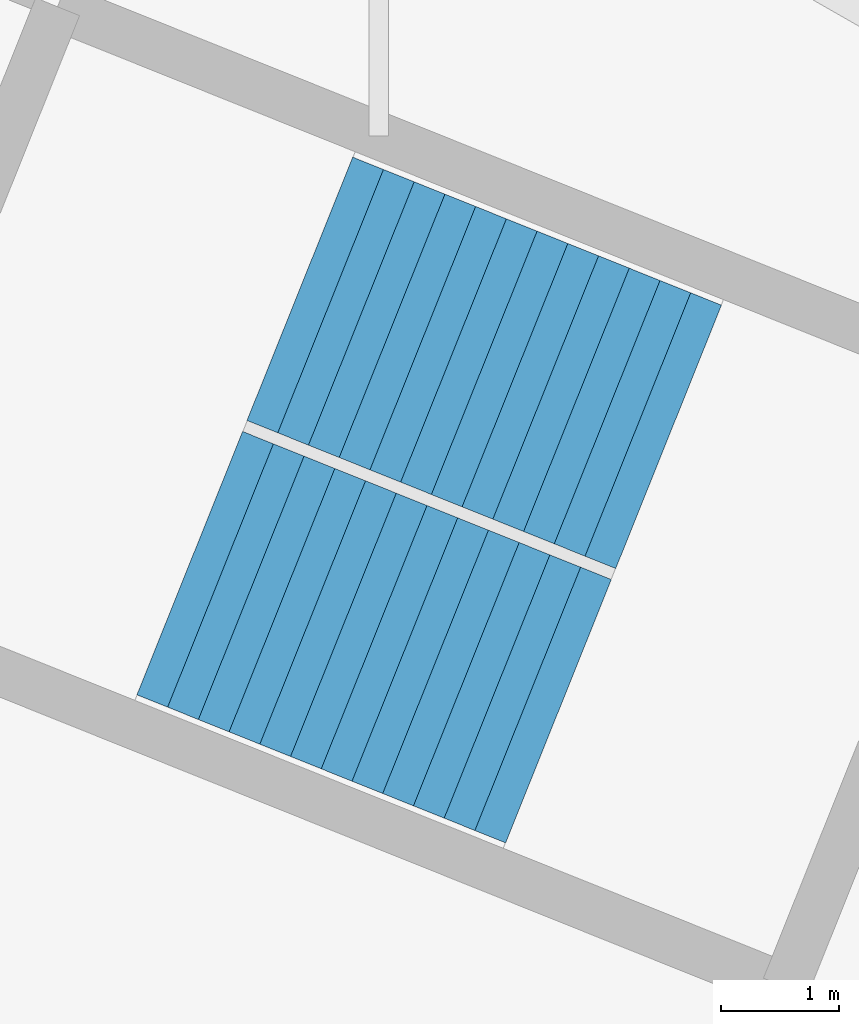
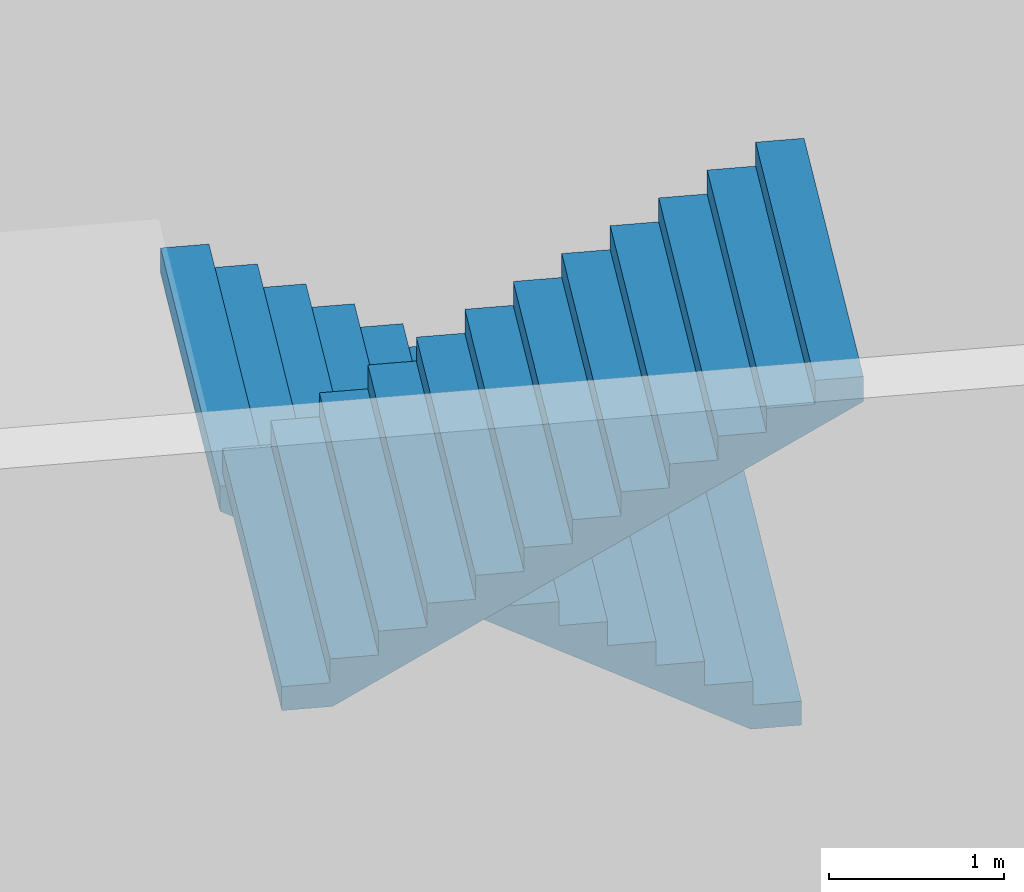
# One storey, part 31 of 47: 2 stair flights, 1 element without a shape of its own.
"""IFC4 building model written with IfcOpenShell, lengths in metres."""

import ifcopenshell
import ifcopenshell.guid

model = None  # the IFC model being written
_history = None  # IfcOwnerHistory: only IFC2X3 demands one
_inside = {}  # id of a spatial element -> (the spatial element, [elements in it])
_under = {}  # id of a project, library or spatial element -> (it, [spatial elements below it])
_declared = {}  # id of a project -> (the project, [libraries it declares])
_typed = {}  # id of a type object -> (the type object, [elements of that type])
_made_of = {}  # id of a material, layer set ... -> (it, [elements and type objects made of it])


def new_model(schema):
    """Start an empty IFC model of exactly this schema.

    Asked for "IFC4X3", IfcOpenShell would pick the latest addendum, in which some entities
    have other attributes; the version numbers below select the first issue.
    IFC2X3 requires an IfcOwnerHistory on every rooted entity: one is made here for all.
    """
    global model, _history
    if schema == "IFC4X3":
        model = ifcopenshell.file(schema_version=(4, 3, 0, 0))
    else:
        model = ifcopenshell.file(schema=schema)
    _inside.clear()
    _under.clear()
    _declared.clear()
    _typed.clear()
    _made_of.clear()
    _history = None
    if model.schema == "IFC2X3":
        org = make("IfcOrganization", Name="unknown")
        user = make(
            "IfcPersonAndOrganization",
            ThePerson=make("IfcPerson", FamilyName="unknown"),
            TheOrganization=org,
        )
        app = make(
            "IfcApplication",
            ApplicationDeveloper=org,
            Version="unknown",
            ApplicationFullName="unknown",
            ApplicationIdentifier="unknown",
        )
        _history = make(
            "IfcOwnerHistory",
            OwningUser=user,
            OwningApplication=app,
            ChangeAction="ADDED",
            CreationDate=0,
        )
    return model


def make(cls, **values):
    """One entity of the class cls with the attributes given. An attribute that is None is left unset."""
    return model.create_entity(
        cls, **{name: value for name, value in values.items() if value is not None}
    )


def rooted(cls, **values):
    """An entity with a GlobalId (a new one), such as an element, a storey or a relation."""
    return make(cls, GlobalId=ifcopenshell.guid.new(), OwnerHistory=_history, **values)


def si_unit(unit_type, name, prefix=None):
    """IfcSIUnit, for example si_unit("LENGTHUNIT", "METRE", prefix="MILLI")."""
    return make("IfcSIUnit", UnitType=unit_type, Prefix=prefix, Name=name)


def assignment(units):
    """IfcUnitAssignment: the units of a project."""
    return None if units is None else make("IfcUnitAssignment", Units=units)


def point(xyz):
    """IfcCartesianPoint."""
    return None if xyz is None else make("IfcCartesianPoint", Coordinates=xyz)


def direction(xyz):
    """IfcDirection."""
    return None if xyz is None else make("IfcDirection", DirectionRatios=xyz)


def frame(location, z_axis=None, x_axis=None):
    """IfcAxis2Placement3D, a coordinate frame: its origin and axes. An axis left out is left unset."""
    return make(
        "IfcAxis2Placement3D",
        Location=point(location),
        Axis=direction(z_axis),
        RefDirection=direction(x_axis),
    )


def origin():
    """The frame at (0, 0, 0) with its axes left unset."""
    return frame((0.0, 0.0, 0.0))


def place(relative_to, where):
    """IfcLocalPlacement: puts the frame where relative to a parent placement (None: the world)."""
    return make(
        "IfcLocalPlacement", PlacementRelTo=relative_to, RelativePlacement=where
    )


def context(
    kind, dimensions, precision=None, world=None, true_north=None, identifier=None
):
    """IfcGeometricRepresentationContext, for example the 3D "Model" context."""
    return make(
        "IfcGeometricRepresentationContext",
        ContextIdentifier=identifier,
        ContextType=kind,
        CoordinateSpaceDimension=dimensions,
        Precision=precision,
        WorldCoordinateSystem=world,
        TrueNorth=true_north,
    )


def subcontext(parent, identifier, kind, view, scale=None):
    """IfcGeometricRepresentationSubContext, for example "Body" below "Model"."""
    return make(
        "IfcGeometricRepresentationSubContext",
        ContextIdentifier=identifier,
        ContextType=kind,
        ParentContext=parent,
        TargetScale=scale,
        TargetView=view,
    )


def project(units=None, contexts=None):
    """IfcProject with its units and contexts."""
    return rooted(
        "IfcProject",
        Name="project",
        RepresentationContexts=contexts,
        UnitsInContext=assignment(units),
    )


def spatial(cls, under=None, at=None, **own):
    """A site, building, storey or space (cls), placed at a placement, below another one or the project."""
    s = rooted(cls, ObjectPlacement=at, **own)
    if under is not None:
        _under.setdefault(under.id(), (under, []))[1].append(s)
    return s


def point_list(points):
    """IfcCartesianPointList2D or 3D."""
    cls = (
        "IfcCartesianPointList2D" if len(points[0]) == 2 else "IfcCartesianPointList3D"
    )
    return make(cls, CoordList=points)


def triangles(points, corners, closed=None, point_numbers=None):
    """IfcTriangulatedFaceSet: each triangle names its three corners, points numbered from 1."""
    return make(
        "IfcTriangulatedFaceSet",
        Coordinates=point_list(points),
        Closed=closed,
        CoordIndex=corners,
        PnIndex=point_numbers,
    )


def shape(context_of_items, identifier, shape_type, items):
    """IfcShapeRepresentation: the items that make up one representation, for example the "Body"."""
    return make(
        "IfcShapeRepresentation",
        ContextOfItems=context_of_items,
        RepresentationIdentifier=identifier,
        RepresentationType=shape_type,
        Items=items,
    )


def material(Name=None, Category=None):
    """IfcMaterial."""
    return make("IfcMaterial", Name=Name, Category=Category)


def made_of(thing, what):
    """Note that an element or type object is made of a material, layer set ...; save() writes the relation."""
    if what is not None:
        _made_of.setdefault(what.id(), (what, []))[1].append(thing)
    return thing


def type_object(cls, material=None, **own):
    """A type object (cls), such as IfcWallType, which elements share."""
    return made_of(rooted(cls, **own), material)


def element(
    cls,
    number,
    at=None,
    inside=None,
    cuts=None,
    type_object=None,
    material=None,
    context=None,
    identifier="Body",
    shape_type=None,
    held_by="IfcProductDefinitionShape",
    body=None,
    shapes=None,
    **own,
):
    """One element of the class cls, such as IfcWall. Its Tag is "e" and its number.

    at: its placement. inside: the storey or other place that contains it. cuts: it is an
    opening in that element (IfcRelVoidsElement). A single representation is given by context,
    identifier, shape_type and body (its items); several are given by shapes. held_by: the class
    of the entity that holds the representations. save() writes the other relations.
    """
    e = rooted(cls, Tag="e%d" % number, ObjectPlacement=at, **own)
    if body is not None:
        shapes = [shape(context, identifier, shape_type, body)]
    if shapes is not None:
        e.Representation = make(held_by, Representations=shapes)
    if inside is not None:
        _inside.setdefault(inside.id(), (inside, []))[1].append(e)
    if cuts is not None:
        rooted(
            "IfcRelVoidsElement", RelatingBuildingElement=cuts, RelatedOpeningElement=e
        )
    if type_object is not None:
        _typed.setdefault(type_object.id(), (type_object, []))[1].append(e)
    return made_of(e, material)


def aggregate(whole, parts):
    """IfcRelAggregates: a whole, such as a stair, and the parts it consists of."""
    return rooted("IfcRelAggregates", RelatingObject=whole, RelatedObjects=parts)


def save(model, path):
    """Write the relations noted so far, then the file.

    IfcRelAggregates (storeys below a building ...), IfcRelContainedInSpatialStructure (elements
    in a storey), IfcRelDefinesByType, IfcRelAssociatesMaterial and IfcRelDeclares: one each for
    every whole, place, type object, material and project.
    """
    for whole, parts in _under.values():
        aggregate(whole, parts)
    for where, things in _inside.values():
        rooted(
            "IfcRelContainedInSpatialStructure",
            RelatedElements=things,
            RelatingStructure=where,
        )
    for kind, things in _typed.values():
        rooted("IfcRelDefinesByType", RelatedObjects=things, RelatingType=kind)
    for what, things in _made_of.values():
        rooted("IfcRelAssociatesMaterial", RelatedObjects=things, RelatingMaterial=what)
    for by, libraries in _declared.values():
        rooted("IfcRelDeclares", RelatingContext=by, RelatedDefinitions=libraries)
    model.write(path)


model = new_model("IFC4")

# Units and contexts
model_context = context("Model", 3, precision=1e-05, world=origin(), true_north=direction((0.0, 1.0)))
body_context = subcontext(model_context, "Body", "Model", "MODEL_VIEW")
ifc_project = project(units=[si_unit("LENGTHUNIT", "METRE"), si_unit("AREAUNIT", "SQUARE_METRE"), si_unit("VOLUMEUNIT", "CUBIC_METRE"), si_unit("PLANEANGLEUNIT", "RADIAN"), si_unit("MASSUNIT", "GRAM", prefix="KILO")], contexts=[model_context])

# Site, building, storey
site_placement = place(None, origin())
site = spatial("IfcSite", under=ifc_project, at=site_placement, CompositionType="ELEMENT")
building_placement = place(site_placement, origin())
building = spatial("IfcBuilding", under=site, at=building_placement, Name="Lantaw Convention Tower", CompositionType="ELEMENT")
storey_placement = place(building_placement, origin())
storey = spatial("IfcBuildingStorey", under=building, at=storey_placement, Name="L00", CompositionType="ELEMENT", Elevation=0.0)

# Stair, stair flights
ifc_material = material(Name="Concrete C35/45", Category="concrete")
stair_type = type_object("IfcStairType", Name="Exit stair 2400 riser 166.67 in 3 flights", PredefinedType="HALF_TURN_STAIR", material=ifc_material)
stair_placement = place(storey_placement, origin())
stair = element("IfcStair", 1, at=stair_placement, inside=storey, type_object=stair_type, Name="Podium exit stair P8 L00", PredefinedType="HALF_TURN_STAIR")
stair_flight_type = type_object("IfcStairFlightType", Name="Stair flight 2400 riser 166.67", PredefinedType="STRAIGHT", material=ifc_material)
stair_flight_1_placement = place(storey_placement, frame((-35.799560546875, 15.71826171875, 2.166748046875), z_axis=(0.0, 0.0, 1.0), x_axis=(-0.928015168305, 0.372542410198, 0.0)))
stair_flight_1 = element("IfcStairFlight", 2, at=stair_flight_1_placement, type_object=stair_flight_type, Name="P8 flight 2", NumberOfRisers=13, NumberOfTreads=12, PredefinedType="STRAIGHT", RiserHeight=0.166666667, TreadLength=0.28, context=body_context, shape_type="Tessellation", body=[
    triangles([(0.0, 1.199951171875, 0.0), (0.0, 1.199951171875, 0.166666667), (0.28, 1.199951171875, 0.0), (0.28, 1.199951171875, 0.166666667), (0.28, 1.199951171875, 0.333333334), (0.29307345806906815, 1.199951171875, 0.0), (0.29307345806906815, 1.199951171875, 0.333333334), (0.56, 1.199951171875, 0.15888484670522912), (0.56, 1.199951171875, 0.333333334), (0.56, 1.199951171875, 0.500000001), (0.8400000000000001, 1.199951171875, 0.3255515137052291), (0.8400000000000001, 1.199951171875, 0.500000001), (0.8400000000000001, 1.199951171875, 0.666666668), (1.12, 1.199951171875, 0.49221818070522905), (1.12, 1.199951171875, 0.666666668), (1.12, 1.199951171875, 0.833333335), (1.4000000000000001, 1.199951171875, 0.658884847705229), (1.4000000000000001, 1.199951171875, 0.833333335), (1.4000000000000001, 1.199951171875, 1.000000002), (1.6800000000000002, 1.199951171875, 0.825551514705229), (1.6800000000000002, 1.199951171875, 1.000000002), (1.6800000000000002, 1.199951171875, 1.166666669), (1.9600000000000002, 1.199951171875, 0.992218181705229), (1.9600000000000002, 1.199951171875, 1.166666669), (1.9600000000000002, 1.199951171875, 1.333333336), (2.24, 1.199951171875, 1.158884848705229), (2.24, 1.199951171875, 1.333333336), (2.24, 1.199951171875, 1.5000000029999998), (2.5200000000000005, 1.199951171875, 1.325551515705229), (2.5200000000000005, 1.199951171875, 1.5000000029999998), (2.5200000000000005, 1.199951171875, 1.66666667), (2.8000000000000003, 1.199951171875, 1.492218182705229), (2.8000000000000003, 1.199951171875, 1.66666667), (2.8000000000000003, 1.199951171875, 1.833333337), (3.08, 1.199951171875, 1.6588848497052289), (3.08, 1.199951171875, 1.833333337), (3.08, 1.199951171875, 2.000000004), (3.3600000000000003, 1.199951171875, 1.825551516705229), (3.3600000000000003, 1.199951171875, 2.000000004), (0.0, -1.199951171875, 0.0), (0.0, -1.199951171875, 0.166666667), (0.28, -1.199951171875, 0.0), (0.28, -1.199951171875, 0.166666667), (0.28, -1.199951171875, 0.333333334), (0.29307345806906815, -1.199951171875, 0.0), (0.29307345806906815, -1.199951171875, 0.333333334), (0.56, -1.199951171875, 0.15888484670522912), (0.56, -1.199951171875, 0.333333334), (0.56, -1.199951171875, 0.500000001), (0.8400000000000001, -1.199951171875, 0.3255515137052291), (0.8400000000000001, -1.199951171875, 0.500000001), (0.8400000000000001, -1.199951171875, 0.666666668), (1.12, -1.199951171875, 0.49221818070522905), (1.12, -1.199951171875, 0.666666668), (1.12, -1.199951171875, 0.833333335), (1.4000000000000001, -1.199951171875, 0.658884847705229), (1.4000000000000001, -1.199951171875, 0.833333335), (1.4000000000000001, -1.199951171875, 1.000000002), (1.6800000000000002, -1.199951171875, 0.825551514705229), (1.6800000000000002, -1.199951171875, 1.000000002), (1.6800000000000002, -1.199951171875, 1.166666669), (1.9600000000000002, -1.199951171875, 0.992218181705229), (1.9600000000000002, -1.199951171875, 1.166666669), (1.9600000000000002, -1.199951171875, 1.333333336), (2.24, -1.199951171875, 1.158884848705229), (2.24, -1.199951171875, 1.333333336), (2.24, -1.199951171875, 1.5000000029999998), (2.5200000000000005, -1.199951171875, 1.325551515705229), (2.5200000000000005, -1.199951171875, 1.5000000029999998), (2.5200000000000005, -1.199951171875, 1.66666667), (2.8000000000000003, -1.199951171875, 1.492218182705229), (2.8000000000000003, -1.199951171875, 1.66666667), (2.8000000000000003, -1.199951171875, 1.833333337), (3.08, -1.199951171875, 1.6588848497052289), (3.08, -1.199951171875, 1.833333337), (3.08, -1.199951171875, 2.000000004), (3.3600000000000003, -1.199951171875, 1.825551516705229), (3.3600000000000003, -1.199951171875, 2.000000004), (0.0, 0.239990234375, 0.166666667), (0.0, 0.239990234375, 0.0), (0.0, 0.0, 0.166666667), (0.0, 0.0, 0.0), (0.0, -0.239990234375, 0.166666667), (0.0, -0.239990234375, 0.0), (0.28, 0.239990234375, 0.333333334), (0.28, 0.239990234375, 0.166666667), (0.28, 0.0, 0.333333334), (0.28, 0.0, 0.166666667), (0.28, -0.239990234375, 0.333333334), (0.28, -0.239990234375, 0.166666667), (0.56, 0.239990234375, 0.500000001), (0.56, 0.239990234375, 0.333333334), (0.56, 0.0, 0.500000001), (0.56, 0.0, 0.333333334), (0.56, -0.239990234375, 0.500000001), (0.56, -0.239990234375, 0.333333334), (0.8400000000000001, 0.239990234375, 0.666666668), (0.8400000000000001, 0.239990234375, 0.500000001), (0.8400000000000001, 0.0, 0.666666668), (0.8400000000000001, 0.0, 0.500000001), (0.8400000000000001, -0.239990234375, 0.666666668), (0.8400000000000001, -0.239990234375, 0.500000001), (1.12, 0.239990234375, 0.833333335), (1.12, 0.239990234375, 0.666666668), (1.12, 0.0, 0.833333335), (1.12, 0.0, 0.666666668), (1.12, -0.239990234375, 0.833333335), (1.12, -0.239990234375, 0.666666668), (1.4000000000000001, 0.239990234375, 1.000000002), (1.4000000000000001, 0.239990234375, 0.833333335), (1.4000000000000001, 0.0, 1.000000002), (1.4000000000000001, 0.0, 0.833333335), (1.4000000000000001, -0.239990234375, 1.000000002), (1.4000000000000001, -0.239990234375, 0.833333335), (1.6800000000000002, 0.239990234375, 1.166666669), (1.6800000000000002, 0.239990234375, 1.000000002), (1.6800000000000002, 0.0, 1.166666669), (1.6800000000000002, 0.0, 1.000000002), (1.6800000000000002, -0.239990234375, 1.166666669), (1.6800000000000002, -0.239990234375, 1.000000002), (1.9600000000000002, 0.239990234375, 1.333333336), (1.9600000000000002, 0.239990234375, 1.166666669), (1.9600000000000002, 0.0, 1.333333336), (1.9600000000000002, 0.0, 1.166666669), (1.9600000000000002, -0.239990234375, 1.333333336), (1.9600000000000002, -0.239990234375, 1.166666669), (2.24, 0.239990234375, 1.5000000029999998), (2.24, 0.239990234375, 1.333333336), (2.24, 0.0, 1.5000000029999998), (2.24, 0.0, 1.333333336), (2.24, -0.239990234375, 1.5000000029999998), (2.24, -0.239990234375, 1.333333336), (2.5200000000000005, 0.239990234375, 1.66666667), (2.5200000000000005, 0.239990234375, 1.5000000029999998), (2.5200000000000005, 0.0, 1.66666667), (2.5200000000000005, 0.0, 1.5000000029999998), (2.5200000000000005, -0.239990234375, 1.66666667), (2.5200000000000005, -0.239990234375, 1.5000000029999998), (2.8000000000000003, 0.239990234375, 1.833333337), (2.8000000000000003, 0.239990234375, 1.66666667), (2.8000000000000003, 0.0, 1.833333337), (2.8000000000000003, 0.0, 1.66666667), (2.8000000000000003, -0.239990234375, 1.833333337), (2.8000000000000003, -0.239990234375, 1.66666667), (3.08, 0.239990234375, 2.000000004), (3.08, 0.239990234375, 1.833333337), (3.08, 0.0, 2.000000004), (3.08, 0.0, 1.833333337), (3.08, -0.239990234375, 2.000000004), (3.08, -0.239990234375, 1.833333337), (0.29307345806906815, 0.239990234375, 0.333333334), (0.29307345806906815, 0.0, 0.333333334), (0.29307345806906815, -0.239990234375, 0.333333334), (3.3600000000000003, 0.239990234375, 2.000000004), (3.3600000000000003, 0.0, 2.000000004), (3.3600000000000003, -0.239990234375, 2.000000004), (3.3600000000000003, 0.239990234375, 1.8255515167052292), (3.3600000000000003, 0.0, 1.8255515167052292), (3.3600000000000003, -0.239990234375, 1.8255515167052292), (3.08, 0.239990234375, 1.6588848497052289), (3.08, 0.0, 1.6588848497052289), (3.08, -0.239990234375, 1.6588848497052289), (2.8000000000000003, 0.239990234375, 1.492218182705229), (2.8000000000000003, 0.0, 1.492218182705229), (2.8000000000000003, -0.239990234375, 1.492218182705229), (2.5200000000000005, 0.239990234375, 1.325551515705229), (2.5200000000000005, 0.0, 1.325551515705229), (2.5200000000000005, -0.239990234375, 1.325551515705229), (2.24, 0.239990234375, 1.158884848705229), (2.24, 0.0, 1.158884848705229), (2.24, -0.239990234375, 1.158884848705229), (1.9600000000000002, 0.239990234375, 0.992218181705229), (1.9600000000000002, 0.0, 0.992218181705229), (1.9600000000000002, -0.239990234375, 0.992218181705229), (1.6800000000000002, 0.239990234375, 0.825551514705229), (1.6800000000000002, 0.0, 0.825551514705229), (1.6800000000000002, -0.239990234375, 0.825551514705229), (1.4000000000000001, 0.239990234375, 0.658884847705229), (1.4000000000000001, 0.0, 0.658884847705229), (1.4000000000000001, -0.239990234375, 0.658884847705229), (1.12, 0.239990234375, 0.49221818070522905), (1.12, 0.0, 0.49221818070522905), (1.12, -0.239990234375, 0.49221818070522905), (0.8400000000000001, 0.239990234375, 0.3255515137052291), (0.8400000000000001, 0.0, 0.3255515137052291), (0.8400000000000001, -0.239990234375, 0.3255515137052291), (0.56, 0.239990234375, 0.15888484670522912), (0.56, 0.0, 0.15888484670522912), (0.56, -0.239990234375, 0.15888484670522912), (0.29307345806906815, 0.239990234375, 0.0), (0.29307345806906815, 0.0, 0.0), (0.29307345806906815, -0.239990234375, 0.0), (0.28, 0.239990234375, 0.0), (0.28, 0.0, 0.0), (0.28, -0.239990234375, 0.0)], [[1, 4, 3], [1, 2, 4], [3, 4, 6], [4, 7, 6], [4, 5, 7], [6, 9, 8], [6, 7, 9], [8, 9, 11], [9, 12, 11], [9, 10, 12], [11, 12, 14], [12, 15, 14], [12, 13, 15], [14, 15, 17], [15, 18, 17], [15, 16, 18], [17, 18, 20], [18, 21, 20], [18, 19, 21], [20, 21, 23], [21, 24, 23], [21, 22, 24], [23, 24, 26], [24, 27, 26], [24, 25, 27], [26, 27, 29], [27, 30, 29], [27, 28, 30], [29, 30, 32], [30, 33, 32], [30, 31, 33], [32, 33, 35], [33, 36, 35], [33, 34, 36], [35, 36, 38], [36, 39, 38], [36, 37, 39], [40, 42, 43], [40, 43, 41], [42, 45, 43], [43, 45, 46], [43, 46, 44], [45, 47, 48], [45, 48, 46], [47, 50, 48], [48, 50, 51], [48, 51, 49], [50, 53, 51], [51, 53, 54], [51, 54, 52], [53, 56, 54], [54, 56, 57], [54, 57, 55], [56, 59, 57], [57, 59, 60], [57, 60, 58], [59, 62, 60], [60, 62, 63], [60, 63, 61], [62, 65, 63], [63, 65, 66], [63, 66, 64], [65, 68, 66], [66, 68, 69], [66, 69, 67], [68, 71, 69], [69, 71, 72], [69, 72, 70], [71, 74, 72], [72, 74, 75], [72, 75, 73], [74, 77, 75], [75, 77, 78], [75, 78, 76], [1, 79, 2], [1, 80, 79], [80, 81, 79], [80, 82, 81], [82, 83, 81], [82, 84, 83], [84, 41, 83], [84, 40, 41], [4, 85, 5], [4, 86, 85], [86, 87, 85], [86, 88, 87], [88, 89, 87], [88, 90, 89], [90, 44, 89], [90, 43, 44], [9, 91, 10], [9, 92, 91], [92, 93, 91], [92, 94, 93], [94, 95, 93], [94, 96, 95], [96, 49, 95], [96, 48, 49], [12, 97, 13], [12, 98, 97], [98, 99, 97], [98, 100, 99], [100, 101, 99], [100, 102, 101], [102, 52, 101], [102, 51, 52], [15, 103, 16], [15, 104, 103], [104, 105, 103], [104, 106, 105], [106, 107, 105], [106, 108, 107], [108, 55, 107], [108, 54, 55], [18, 109, 19], [18, 110, 109], [110, 111, 109], [110, 112, 111], [112, 113, 111], [112, 114, 113], [114, 58, 113], [114, 57, 58], [21, 115, 22], [21, 116, 115], [116, 117, 115], [116, 118, 117], [118, 119, 117], [118, 120, 119], [120, 61, 119], [120, 60, 61], [24, 121, 25], [24, 122, 121], [122, 123, 121], [122, 124, 123], [124, 125, 123], [124, 126, 125], [126, 64, 125], [126, 63, 64], [27, 127, 28], [27, 128, 127], [128, 129, 127], [128, 130, 129], [130, 131, 129], [130, 132, 131], [132, 67, 131], [132, 66, 67], [30, 133, 31], [30, 134, 133], [134, 135, 133], [134, 136, 135], [136, 137, 135], [136, 138, 137], [138, 70, 137], [138, 69, 70], [33, 139, 34], [33, 140, 139], [140, 141, 139], [140, 142, 141], [142, 143, 141], [142, 144, 143], [144, 73, 143], [144, 72, 73], [36, 145, 37], [36, 146, 145], [146, 147, 145], [146, 148, 147], [148, 149, 147], [148, 150, 149], [150, 76, 149], [150, 75, 76], [2, 86, 4], [2, 79, 86], [79, 88, 86], [79, 81, 88], [81, 90, 88], [81, 83, 90], [83, 43, 90], [83, 41, 43], [5, 151, 7], [5, 85, 151], [85, 152, 151], [85, 87, 152], [87, 153, 152], [87, 89, 153], [89, 46, 153], [89, 44, 46], [7, 92, 9], [7, 151, 92], [151, 94, 92], [151, 152, 94], [152, 96, 94], [152, 153, 96], [153, 48, 96], [153, 46, 48], [10, 98, 12], [10, 91, 98], [91, 100, 98], [91, 93, 100], [93, 102, 100], [93, 95, 102], [95, 51, 102], [95, 49, 51], [13, 104, 15], [13, 97, 104], [97, 106, 104], [97, 99, 106], [99, 108, 106], [99, 101, 108], [101, 54, 108], [101, 52, 54], [16, 110, 18], [16, 103, 110], [103, 112, 110], [103, 105, 112], [105, 114, 112], [105, 107, 114], [107, 57, 114], [107, 55, 57], [19, 116, 21], [19, 109, 116], [109, 118, 116], [109, 111, 118], [111, 120, 118], [111, 113, 120], [113, 60, 120], [113, 58, 60], [22, 122, 24], [22, 115, 122], [115, 124, 122], [115, 117, 124], [117, 126, 124], [117, 119, 126], [119, 63, 126], [119, 61, 63], [25, 128, 27], [25, 121, 128], [121, 130, 128], [121, 123, 130], [123, 132, 130], [123, 125, 132], [125, 66, 132], [125, 64, 66], [28, 134, 30], [28, 127, 134], [127, 136, 134], [127, 129, 136], [129, 138, 136], [129, 131, 138], [131, 69, 138], [131, 67, 69], [31, 140, 33], [31, 133, 140], [133, 142, 140], [133, 135, 142], [135, 144, 142], [135, 137, 144], [137, 72, 144], [137, 70, 72], [34, 146, 36], [34, 139, 146], [139, 148, 146], [139, 141, 148], [141, 150, 148], [141, 143, 150], [143, 75, 150], [143, 73, 75], [37, 154, 39], [37, 145, 154], [145, 155, 154], [145, 147, 155], [147, 156, 155], [147, 149, 156], [149, 78, 156], [149, 76, 78], [39, 157, 38], [39, 154, 157], [154, 158, 157], [154, 155, 158], [155, 159, 158], [155, 156, 159], [156, 77, 159], [156, 78, 77], [38, 160, 35], [38, 157, 160], [157, 161, 160], [157, 158, 161], [158, 162, 161], [158, 159, 162], [159, 74, 162], [159, 77, 74], [35, 163, 32], [35, 160, 163], [160, 164, 163], [160, 161, 164], [161, 165, 164], [161, 162, 165], [162, 71, 165], [162, 74, 71], [32, 166, 29], [32, 163, 166], [163, 167, 166], [163, 164, 167], [164, 168, 167], [164, 165, 168], [165, 68, 168], [165, 71, 68], [29, 169, 26], [29, 166, 169], [166, 170, 169], [166, 167, 170], [167, 171, 170], [167, 168, 171], [168, 65, 171], [168, 68, 65], [26, 172, 23], [26, 169, 172], [169, 173, 172], [169, 170, 173], [170, 174, 173], [170, 171, 174], [171, 62, 174], [171, 65, 62], [23, 175, 20], [23, 172, 175], [172, 176, 175], [172, 173, 176], [173, 177, 176], [173, 174, 177], [174, 59, 177], [174, 62, 59], [20, 178, 17], [20, 175, 178], [175, 179, 178], [175, 176, 179], [176, 180, 179], [176, 177, 180], [177, 56, 180], [177, 59, 56], [17, 181, 14], [17, 178, 181], [178, 182, 181], [178, 179, 182], [179, 183, 182], [179, 180, 183], [180, 53, 183], [180, 56, 53], [14, 184, 11], [14, 181, 184], [181, 185, 184], [181, 182, 185], [182, 186, 185], [182, 183, 186], [183, 50, 186], [183, 53, 50], [11, 187, 8], [11, 184, 187], [184, 188, 187], [184, 185, 188], [185, 189, 188], [185, 186, 189], [186, 47, 189], [186, 50, 47], [8, 190, 6], [8, 187, 190], [187, 191, 190], [187, 188, 191], [188, 192, 191], [188, 189, 192], [189, 45, 192], [189, 47, 45], [6, 193, 3], [6, 190, 193], [190, 194, 193], [190, 191, 194], [191, 195, 194], [191, 192, 195], [192, 42, 195], [192, 45, 42], [3, 80, 1], [3, 193, 80], [193, 82, 80], [193, 194, 82], [194, 84, 82], [194, 195, 84], [195, 40, 84], [195, 42, 40]], closed=True),
])
stair_flight_2_placement = place(storey_placement, frame((-39.848876953125, 14.64990234375, 4.333251953125), z_axis=(0.0, 0.0, 1.0), x_axis=(0.928015168305, -0.372542410198, 0.0)))
stair_flight_2 = element("IfcStairFlight", 3, at=stair_flight_2_placement, type_object=stair_flight_type, Name="P8 flight 3", NumberOfRisers=13, NumberOfTreads=12, PredefinedType="STRAIGHT", RiserHeight=0.166666667, TreadLength=0.28, context=body_context, shape_type="Tessellation", body=[
    triangles([(0.0, 1.199951171875, 0.0), (0.0, 1.199951171875, 0.166666667), (0.28, 1.199951171875, 0.0), (0.28, 1.199951171875, 0.166666667), (0.28, 1.199951171875, 0.333333334), (0.29307345806906815, 1.199951171875, 0.0), (0.29307345806906815, 1.199951171875, 0.333333334), (0.56, 1.199951171875, 0.15888484670522912), (0.56, 1.199951171875, 0.333333334), (0.56, 1.199951171875, 0.500000001), (0.8400000000000001, 1.199951171875, 0.3255515137052291), (0.8400000000000001, 1.199951171875, 0.500000001), (0.8400000000000001, 1.199951171875, 0.666666668), (1.12, 1.199951171875, 0.49221818070522905), (1.12, 1.199951171875, 0.666666668), (1.12, 1.199951171875, 0.833333335), (1.4000000000000001, 1.199951171875, 0.658884847705229), (1.4000000000000001, 1.199951171875, 0.833333335), (1.4000000000000001, 1.199951171875, 1.000000002), (1.6800000000000002, 1.199951171875, 0.825551514705229), (1.6800000000000002, 1.199951171875, 1.000000002), (1.6800000000000002, 1.199951171875, 1.166666669), (1.9600000000000002, 1.199951171875, 0.992218181705229), (1.9600000000000002, 1.199951171875, 1.166666669), (1.9600000000000002, 1.199951171875, 1.333333336), (2.24, 1.199951171875, 1.158884848705229), (2.24, 1.199951171875, 1.333333336), (2.24, 1.199951171875, 1.5000000029999998), (2.5200000000000005, 1.199951171875, 1.325551515705229), (2.5200000000000005, 1.199951171875, 1.5000000029999998), (2.5200000000000005, 1.199951171875, 1.66666667), (2.8000000000000003, 1.199951171875, 1.492218182705229), (2.8000000000000003, 1.199951171875, 1.66666667), (2.8000000000000003, 1.199951171875, 1.833333337), (3.08, 1.199951171875, 1.6588848497052289), (3.08, 1.199951171875, 1.833333337), (3.08, 1.199951171875, 2.000000004), (3.3600000000000003, 1.199951171875, 1.825551516705229), (3.3600000000000003, 1.199951171875, 2.000000004), (0.0, -1.199951171875, 0.0), (0.0, -1.199951171875, 0.166666667), (0.28, -1.199951171875, 0.0), (0.28, -1.199951171875, 0.166666667), (0.28, -1.199951171875, 0.333333334), (0.29307345806906815, -1.199951171875, 0.0), (0.29307345806906815, -1.199951171875, 0.333333334), (0.56, -1.199951171875, 0.15888484670522912), (0.56, -1.199951171875, 0.333333334), (0.56, -1.199951171875, 0.500000001), (0.8400000000000001, -1.199951171875, 0.3255515137052291), (0.8400000000000001, -1.199951171875, 0.500000001), (0.8400000000000001, -1.199951171875, 0.666666668), (1.12, -1.199951171875, 0.49221818070522905), (1.12, -1.199951171875, 0.666666668), (1.12, -1.199951171875, 0.833333335), (1.4000000000000001, -1.199951171875, 0.658884847705229), (1.4000000000000001, -1.199951171875, 0.833333335), (1.4000000000000001, -1.199951171875, 1.000000002), (1.6800000000000002, -1.199951171875, 0.825551514705229), (1.6800000000000002, -1.199951171875, 1.000000002), (1.6800000000000002, -1.199951171875, 1.166666669), (1.9600000000000002, -1.199951171875, 0.992218181705229), (1.9600000000000002, -1.199951171875, 1.166666669), (1.9600000000000002, -1.199951171875, 1.333333336), (2.24, -1.199951171875, 1.158884848705229), (2.24, -1.199951171875, 1.333333336), (2.24, -1.199951171875, 1.5000000029999998), (2.5200000000000005, -1.199951171875, 1.325551515705229), (2.5200000000000005, -1.199951171875, 1.5000000029999998), (2.5200000000000005, -1.199951171875, 1.66666667), (2.8000000000000003, -1.199951171875, 1.492218182705229), (2.8000000000000003, -1.199951171875, 1.66666667), (2.8000000000000003, -1.199951171875, 1.833333337), (3.08, -1.199951171875, 1.6588848497052289), (3.08, -1.199951171875, 1.833333337), (3.08, -1.199951171875, 2.000000004), (3.3600000000000003, -1.199951171875, 1.825551516705229), (3.3600000000000003, -1.199951171875, 2.000000004), (0.0, 0.239990234375, 0.166666667), (0.0, 0.239990234375, 0.0), (0.0, 0.0, 0.166666667), (0.0, 0.0, 0.0), (0.0, -0.239990234375, 0.166666667), (0.0, -0.239990234375, 0.0), (0.28, 0.239990234375, 0.333333334), (0.28, 0.239990234375, 0.166666667), (0.28, 0.0, 0.333333334), (0.28, 0.0, 0.166666667), (0.28, -0.239990234375, 0.333333334), (0.28, -0.239990234375, 0.166666667), (0.56, 0.239990234375, 0.500000001), (0.56, 0.239990234375, 0.333333334), (0.56, 0.0, 0.500000001), (0.56, 0.0, 0.333333334), (0.56, -0.239990234375, 0.500000001), (0.56, -0.239990234375, 0.333333334), (0.8400000000000001, 0.239990234375, 0.666666668), (0.8400000000000001, 0.239990234375, 0.500000001), (0.8400000000000001, 0.0, 0.666666668), (0.8400000000000001, 0.0, 0.500000001), (0.8400000000000001, -0.239990234375, 0.666666668), (0.8400000000000001, -0.239990234375, 0.500000001), (1.12, 0.239990234375, 0.833333335), (1.12, 0.239990234375, 0.666666668), (1.12, 0.0, 0.833333335), (1.12, 0.0, 0.666666668), (1.12, -0.239990234375, 0.833333335), (1.12, -0.239990234375, 0.666666668), (1.4000000000000001, 0.239990234375, 1.000000002), (1.4000000000000001, 0.239990234375, 0.833333335), (1.4000000000000001, 0.0, 1.000000002), (1.4000000000000001, 0.0, 0.833333335), (1.4000000000000001, -0.239990234375, 1.000000002), (1.4000000000000001, -0.239990234375, 0.833333335), (1.6800000000000002, 0.239990234375, 1.166666669), (1.6800000000000002, 0.239990234375, 1.000000002), (1.6800000000000002, 0.0, 1.166666669), (1.6800000000000002, 0.0, 1.000000002), (1.6800000000000002, -0.239990234375, 1.166666669), (1.6800000000000002, -0.239990234375, 1.000000002), (1.9600000000000002, 0.239990234375, 1.333333336), (1.9600000000000002, 0.239990234375, 1.166666669), (1.9600000000000002, 0.0, 1.333333336), (1.9600000000000002, 0.0, 1.166666669), (1.9600000000000002, -0.239990234375, 1.333333336), (1.9600000000000002, -0.239990234375, 1.166666669), (2.24, 0.239990234375, 1.5000000029999998), (2.24, 0.239990234375, 1.333333336), (2.24, 0.0, 1.5000000029999998), (2.24, 0.0, 1.333333336), (2.24, -0.239990234375, 1.5000000029999998), (2.24, -0.239990234375, 1.333333336), (2.5200000000000005, 0.239990234375, 1.66666667), (2.5200000000000005, 0.239990234375, 1.5000000029999998), (2.5200000000000005, 0.0, 1.66666667), (2.5200000000000005, 0.0, 1.5000000029999998), (2.5200000000000005, -0.239990234375, 1.66666667), (2.5200000000000005, -0.239990234375, 1.5000000029999998), (2.8000000000000003, 0.239990234375, 1.833333337), (2.8000000000000003, 0.239990234375, 1.66666667), (2.8000000000000003, 0.0, 1.833333337), (2.8000000000000003, 0.0, 1.66666667), (2.8000000000000003, -0.239990234375, 1.833333337), (2.8000000000000003, -0.239990234375, 1.66666667), (3.08, 0.239990234375, 2.000000004), (3.08, 0.239990234375, 1.833333337), (3.08, 0.0, 2.000000004), (3.08, 0.0, 1.833333337), (3.08, -0.239990234375, 2.000000004), (3.08, -0.239990234375, 1.833333337), (0.29307345806906815, 0.239990234375, 0.333333334), (0.29307345806906815, 0.0, 0.333333334), (0.29307345806906815, -0.239990234375, 0.333333334), (3.3600000000000003, 0.239990234375, 2.000000004), (3.3600000000000003, 0.0, 2.000000004), (3.3600000000000003, -0.239990234375, 2.000000004), (3.3600000000000003, 0.239990234375, 1.8255515167052292), (3.3600000000000003, 0.0, 1.8255515167052292), (3.3600000000000003, -0.239990234375, 1.8255515167052292), (3.08, 0.239990234375, 1.6588848497052289), (3.08, 0.0, 1.6588848497052289), (3.08, -0.239990234375, 1.6588848497052289), (2.8000000000000003, 0.239990234375, 1.492218182705229), (2.8000000000000003, 0.0, 1.492218182705229), (2.8000000000000003, -0.239990234375, 1.492218182705229), (2.5200000000000005, 0.239990234375, 1.325551515705229), (2.5200000000000005, 0.0, 1.325551515705229), (2.5200000000000005, -0.239990234375, 1.325551515705229), (2.24, 0.239990234375, 1.158884848705229), (2.24, 0.0, 1.158884848705229), (2.24, -0.239990234375, 1.158884848705229), (1.9600000000000002, 0.239990234375, 0.992218181705229), (1.9600000000000002, 0.0, 0.992218181705229), (1.9600000000000002, -0.239990234375, 0.992218181705229), (1.6800000000000002, 0.239990234375, 0.825551514705229), (1.6800000000000002, 0.0, 0.825551514705229), (1.6800000000000002, -0.239990234375, 0.825551514705229), (1.4000000000000001, 0.239990234375, 0.658884847705229), (1.4000000000000001, 0.0, 0.658884847705229), (1.4000000000000001, -0.239990234375, 0.658884847705229), (1.12, 0.239990234375, 0.49221818070522905), (1.12, 0.0, 0.49221818070522905), (1.12, -0.239990234375, 0.49221818070522905), (0.8400000000000001, 0.239990234375, 0.3255515137052291), (0.8400000000000001, 0.0, 0.3255515137052291), (0.8400000000000001, -0.239990234375, 0.3255515137052291), (0.56, 0.239990234375, 0.15888484670522912), (0.56, 0.0, 0.15888484670522912), (0.56, -0.239990234375, 0.15888484670522912), (0.29307345806906815, 0.239990234375, 0.0), (0.29307345806906815, 0.0, 0.0), (0.29307345806906815, -0.239990234375, 0.0), (0.28, 0.239990234375, 0.0), (0.28, 0.0, 0.0), (0.28, -0.239990234375, 0.0)], [[1, 4, 3], [1, 2, 4], [3, 4, 6], [4, 7, 6], [4, 5, 7], [6, 9, 8], [6, 7, 9], [8, 9, 11], [9, 12, 11], [9, 10, 12], [11, 12, 14], [12, 15, 14], [12, 13, 15], [14, 15, 17], [15, 18, 17], [15, 16, 18], [17, 18, 20], [18, 21, 20], [18, 19, 21], [20, 21, 23], [21, 24, 23], [21, 22, 24], [23, 24, 26], [24, 27, 26], [24, 25, 27], [26, 27, 29], [27, 30, 29], [27, 28, 30], [29, 30, 32], [30, 33, 32], [30, 31, 33], [32, 33, 35], [33, 36, 35], [33, 34, 36], [35, 36, 38], [36, 39, 38], [36, 37, 39], [40, 42, 43], [40, 43, 41], [42, 45, 43], [43, 45, 46], [43, 46, 44], [45, 47, 48], [45, 48, 46], [47, 50, 48], [48, 50, 51], [48, 51, 49], [50, 53, 51], [51, 53, 54], [51, 54, 52], [53, 56, 54], [54, 56, 57], [54, 57, 55], [56, 59, 57], [57, 59, 60], [57, 60, 58], [59, 62, 60], [60, 62, 63], [60, 63, 61], [62, 65, 63], [63, 65, 66], [63, 66, 64], [65, 68, 66], [66, 68, 69], [66, 69, 67], [68, 71, 69], [69, 71, 72], [69, 72, 70], [71, 74, 72], [72, 74, 75], [72, 75, 73], [74, 77, 75], [75, 77, 78], [75, 78, 76], [1, 79, 2], [1, 80, 79], [80, 81, 79], [80, 82, 81], [82, 83, 81], [82, 84, 83], [84, 41, 83], [84, 40, 41], [4, 85, 5], [4, 86, 85], [86, 87, 85], [86, 88, 87], [88, 89, 87], [88, 90, 89], [90, 44, 89], [90, 43, 44], [9, 91, 10], [9, 92, 91], [92, 93, 91], [92, 94, 93], [94, 95, 93], [94, 96, 95], [96, 49, 95], [96, 48, 49], [12, 97, 13], [12, 98, 97], [98, 99, 97], [98, 100, 99], [100, 101, 99], [100, 102, 101], [102, 52, 101], [102, 51, 52], [15, 103, 16], [15, 104, 103], [104, 105, 103], [104, 106, 105], [106, 107, 105], [106, 108, 107], [108, 55, 107], [108, 54, 55], [18, 109, 19], [18, 110, 109], [110, 111, 109], [110, 112, 111], [112, 113, 111], [112, 114, 113], [114, 58, 113], [114, 57, 58], [21, 115, 22], [21, 116, 115], [116, 117, 115], [116, 118, 117], [118, 119, 117], [118, 120, 119], [120, 61, 119], [120, 60, 61], [24, 121, 25], [24, 122, 121], [122, 123, 121], [122, 124, 123], [124, 125, 123], [124, 126, 125], [126, 64, 125], [126, 63, 64], [27, 127, 28], [27, 128, 127], [128, 129, 127], [128, 130, 129], [130, 131, 129], [130, 132, 131], [132, 67, 131], [132, 66, 67], [30, 133, 31], [30, 134, 133], [134, 135, 133], [134, 136, 135], [136, 137, 135], [136, 138, 137], [138, 70, 137], [138, 69, 70], [33, 139, 34], [33, 140, 139], [140, 141, 139], [140, 142, 141], [142, 143, 141], [142, 144, 143], [144, 73, 143], [144, 72, 73], [36, 145, 37], [36, 146, 145], [146, 147, 145], [146, 148, 147], [148, 149, 147], [148, 150, 149], [150, 76, 149], [150, 75, 76], [2, 86, 4], [2, 79, 86], [79, 88, 86], [79, 81, 88], [81, 90, 88], [81, 83, 90], [83, 43, 90], [83, 41, 43], [5, 151, 7], [5, 85, 151], [85, 152, 151], [85, 87, 152], [87, 153, 152], [87, 89, 153], [89, 46, 153], [89, 44, 46], [7, 92, 9], [7, 151, 92], [151, 94, 92], [151, 152, 94], [152, 96, 94], [152, 153, 96], [153, 48, 96], [153, 46, 48], [10, 98, 12], [10, 91, 98], [91, 100, 98], [91, 93, 100], [93, 102, 100], [93, 95, 102], [95, 51, 102], [95, 49, 51], [13, 104, 15], [13, 97, 104], [97, 106, 104], [97, 99, 106], [99, 108, 106], [99, 101, 108], [101, 54, 108], [101, 52, 54], [16, 110, 18], [16, 103, 110], [103, 112, 110], [103, 105, 112], [105, 114, 112], [105, 107, 114], [107, 57, 114], [107, 55, 57], [19, 116, 21], [19, 109, 116], [109, 118, 116], [109, 111, 118], [111, 120, 118], [111, 113, 120], [113, 60, 120], [113, 58, 60], [22, 122, 24], [22, 115, 122], [115, 124, 122], [115, 117, 124], [117, 126, 124], [117, 119, 126], [119, 63, 126], [119, 61, 63], [25, 128, 27], [25, 121, 128], [121, 130, 128], [121, 123, 130], [123, 132, 130], [123, 125, 132], [125, 66, 132], [125, 64, 66], [28, 134, 30], [28, 127, 134], [127, 136, 134], [127, 129, 136], [129, 138, 136], [129, 131, 138], [131, 69, 138], [131, 67, 69], [31, 140, 33], [31, 133, 140], [133, 142, 140], [133, 135, 142], [135, 144, 142], [135, 137, 144], [137, 72, 144], [137, 70, 72], [34, 146, 36], [34, 139, 146], [139, 148, 146], [139, 141, 148], [141, 150, 148], [141, 143, 150], [143, 75, 150], [143, 73, 75], [37, 154, 39], [37, 145, 154], [145, 155, 154], [145, 147, 155], [147, 156, 155], [147, 149, 156], [149, 78, 156], [149, 76, 78], [39, 157, 38], [39, 154, 157], [154, 158, 157], [154, 155, 158], [155, 159, 158], [155, 156, 159], [156, 77, 159], [156, 78, 77], [38, 160, 35], [38, 157, 160], [157, 161, 160], [157, 158, 161], [158, 162, 161], [158, 159, 162], [159, 74, 162], [159, 77, 74], [35, 163, 32], [35, 160, 163], [160, 164, 163], [160, 161, 164], [161, 165, 164], [161, 162, 165], [162, 71, 165], [162, 74, 71], [32, 166, 29], [32, 163, 166], [163, 167, 166], [163, 164, 167], [164, 168, 167], [164, 165, 168], [165, 68, 168], [165, 71, 68], [29, 169, 26], [29, 166, 169], [166, 170, 169], [166, 167, 170], [167, 171, 170], [167, 168, 171], [168, 65, 171], [168, 68, 65], [26, 172, 23], [26, 169, 172], [169, 173, 172], [169, 170, 173], [170, 174, 173], [170, 171, 174], [171, 62, 174], [171, 65, 62], [23, 175, 20], [23, 172, 175], [172, 176, 175], [172, 173, 176], [173, 177, 176], [173, 174, 177], [174, 59, 177], [174, 62, 59], [20, 178, 17], [20, 175, 178], [175, 179, 178], [175, 176, 179], [176, 180, 179], [176, 177, 180], [177, 56, 180], [177, 59, 56], [17, 181, 14], [17, 178, 181], [178, 182, 181], [178, 179, 182], [179, 183, 182], [179, 180, 183], [180, 53, 183], [180, 56, 53], [14, 184, 11], [14, 181, 184], [181, 185, 184], [181, 182, 185], [182, 186, 185], [182, 183, 186], [183, 50, 186], [183, 53, 50], [11, 187, 8], [11, 184, 187], [184, 188, 187], [184, 185, 188], [185, 189, 188], [185, 186, 189], [186, 47, 189], [186, 50, 47], [8, 190, 6], [8, 187, 190], [187, 191, 190], [187, 188, 191], [188, 192, 191], [188, 189, 192], [189, 45, 192], [189, 47, 45], [6, 193, 3], [6, 190, 193], [190, 194, 193], [190, 191, 194], [191, 195, 194], [191, 192, 195], [192, 42, 195], [192, 45, 42], [3, 80, 1], [3, 193, 80], [193, 82, 80], [193, 194, 82], [194, 84, 82], [194, 195, 84], [195, 40, 84], [195, 42, 40]], closed=True),
])
aggregate(stair, [stair_flight_1, stair_flight_2])

save(model, "model.ifc")
